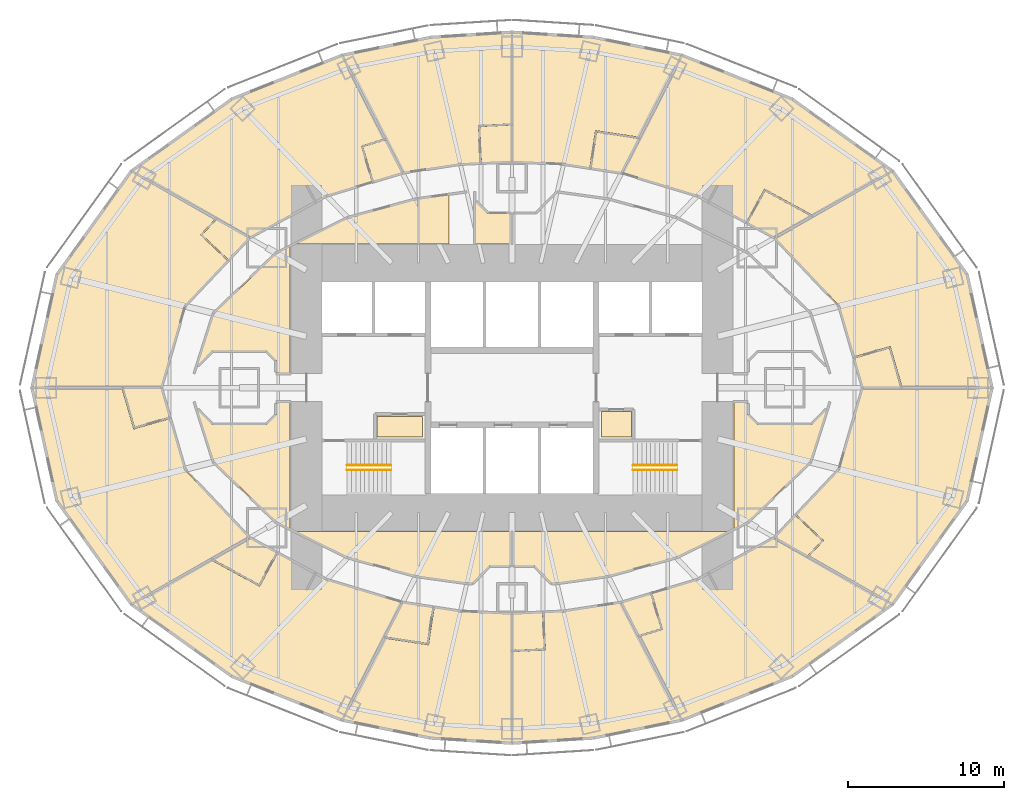
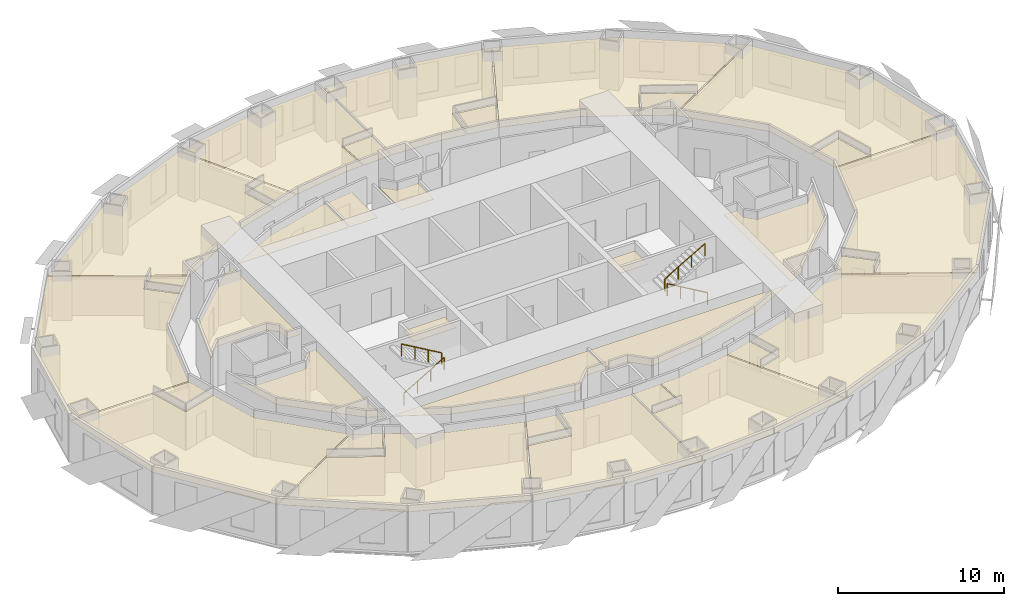
# One storey, part 15 of 15: 34 coverings, 4 railings.
"""IFC4 building model written with IfcOpenShell, lengths in metres."""

from ifc_helpers import new_model, si_unit, direction, frame, origin, origin_2d, place, context, subcontext, project, spatial, polyline, circle, outline, extrude, material, layer, layer_set, type_object, element, save


model = new_model("IFC4")

# Units and contexts
model_context = context("Model", 3, precision=1e-05, world=origin(), true_north=direction((0.0, 1.0)))
body_context = subcontext(model_context, "Body", "Model", "MODEL_VIEW")
ifc_project = project(units=[si_unit("LENGTHUNIT", "METRE"), si_unit("AREAUNIT", "SQUARE_METRE"), si_unit("VOLUMEUNIT", "CUBIC_METRE"), si_unit("PLANEANGLEUNIT", "RADIAN"), si_unit("MASSUNIT", "GRAM", prefix="KILO")], contexts=[model_context])

# Site, building, storey
site_placement = place(None, origin())
site = spatial("IfcSite", under=ifc_project, at=site_placement, CompositionType="ELEMENT")
building_placement = place(site_placement, origin())
building = spatial("IfcBuilding", under=site, at=building_placement, Name="Lantaw Convention Tower", CompositionType="ELEMENT")
storey_placement = place(building_placement, frame((0.0, 0.0, 87.39990234375)))
storey = spatial("IfcBuildingStorey", under=building, at=storey_placement, Name="L20", CompositionType="ELEMENT", Elevation=87.39990234375)

# Railings
ifc_material_1 = material(Name="Stainless steel", Category="steel")
railing_type = type_object("IfcRailingType", Name="Stair handrail", PredefinedType="HANDRAIL", material=ifc_material_1)
railing_1_placement = place(storey_placement, frame((-10.580078125, -5.280029296875, 0.163818359375)))
element("IfcRailing", 1, at=railing_1_placement, inside=storey, type_object=railing_type, Name="Stair handrail S1", PredefinedType="HANDRAIL", context=body_context, shape_type="SweptSolid", body=[
    extrude(circle(Radius=0.02392578125, at=origin_2d()), frame((0.0, 0.0, 0.8759765625), z_axis=(0.863393664356, 0.0, 0.504530851732), x_axis=(0.0, 1.0, 0.0)), (0.0, 0.0, 1.0), 3.2431640625),
    extrude(circle(Radius=0.02099609375, at=origin_2d()), origin(), (0.0, 0.0, 1.0), 0.851806640625),
    extrude(circle(Radius=0.02099609375, at=origin_2d()), frame((0.933349609375, 0.0, 0.54541015625)), (0.0, 0.0, 1.0), 0.851806640625),
    extrude(circle(Radius=0.02099609375, at=origin_2d()), frame((1.86669921875, 0.0, 1.0908203125)), (0.0, 0.0, 1.0), 0.851806640625),
    extrude(circle(Radius=0.02099609375, at=origin_2d()), frame((2.800048828125, 0.0, 1.63623046875)), (0.0, 0.0, 1.0), 0.851806640625),
])
railing_2_placement = place(storey_placement, frame((-7.780029296875, -4.97998046875, 1.963623046875)))
element("IfcRailing", 2, at=railing_2_placement, inside=storey, type_object=railing_type, Name="Stair handrail S1", PredefinedType="HANDRAIL", context=body_context, shape_type="SweptSolid", body=[
    extrude(circle(Radius=0.02392578125, at=origin_2d()), frame((0.0, 0.0, 0.8759765625), z_axis=(-0.863360870873, 0.0, 0.504586966384), x_axis=(0.0, -1.0, 0.0)), (0.0, 0.0, 1.0), 3.2431640625),
    extrude(circle(Radius=0.02099609375, at=origin_2d()), origin(), (0.0, 0.0, 1.0), 0.851806640625),
    extrude(circle(Radius=0.02099609375, at=origin_2d()), frame((-0.933349609375, 0.0, 0.54541015625)), (0.0, 0.0, 1.0), 0.851806640625),
    extrude(circle(Radius=0.02099609375, at=origin_2d()), frame((-1.86669921875, 0.0, 1.091064453125)), (0.0, 0.0, 1.0), 0.851806640625),
    extrude(circle(Radius=0.02099609375, at=origin_2d()), frame((-2.800048828125, 0.0, 1.636474609375)), (0.0, 0.0, 1.0), 0.851806640625),
])
railing_3_placement = place(storey_placement, frame((10.580078125, -5.280029296875, 0.163818359375)))
element("IfcRailing", 3, at=railing_3_placement, inside=storey, type_object=railing_type, Name="Stair handrail S2", PredefinedType="HANDRAIL", context=body_context, shape_type="SweptSolid", body=[
    extrude(circle(Radius=0.02392578125, at=origin_2d()), frame((0.0, 0.0, 0.8759765625), z_axis=(-0.863393664356, 0.0, 0.504530851732), x_axis=(0.0, -1.0, 0.0)), (0.0, 0.0, 1.0), 3.2431640625),
    extrude(circle(Radius=0.02099609375, at=origin_2d()), origin(), (0.0, 0.0, 1.0), 0.851806640625),
    extrude(circle(Radius=0.02099609375, at=origin_2d()), frame((-0.933349609375, 0.0, 0.54541015625)), (0.0, 0.0, 1.0), 0.851806640625),
    extrude(circle(Radius=0.02099609375, at=origin_2d()), frame((-1.86669921875, 0.0, 1.0908203125)), (0.0, 0.0, 1.0), 0.851806640625),
    extrude(circle(Radius=0.02099609375, at=origin_2d()), frame((-2.800048828125, 0.0, 1.63623046875)), (0.0, 0.0, 1.0), 0.851806640625),
])
railing_4_placement = place(storey_placement, frame((7.780029296875, -4.97998046875, 1.963623046875)))
element("IfcRailing", 4, at=railing_4_placement, inside=storey, type_object=railing_type, Name="Stair handrail S2", PredefinedType="HANDRAIL", context=body_context, shape_type="SweptSolid", body=[
    extrude(circle(Radius=0.02392578125, at=origin_2d()), frame((0.0, 0.0, 0.8759765625), z_axis=(0.863360870873, 0.0, 0.504586966384), x_axis=(0.0, 1.0, 0.0)), (0.0, 0.0, 1.0), 3.2431640625),
    extrude(circle(Radius=0.02099609375, at=origin_2d()), origin(), (0.0, 0.0, 1.0), 0.851806640625),
    extrude(circle(Radius=0.02099609375, at=origin_2d()), frame((0.933349609375, 0.0, 0.54541015625)), (0.0, 0.0, 1.0), 0.851806640625),
    extrude(circle(Radius=0.02099609375, at=origin_2d()), frame((1.86669921875, 0.0, 1.091064453125)), (0.0, 0.0, 1.0), 0.851806640625),
    extrude(circle(Radius=0.02099609375, at=origin_2d()), frame((2.800048828125, 0.0, 1.636474609375)), (0.0, 0.0, 1.0), 0.851806640625),
])

# Coverings
ifc_material_2 = material(Name="Gypsum board on steel suspension grid", Category="steel")
ifc_layer = layer(ifc_material_2, 0.02001953125)
ifc_layer_set = layer_set([ifc_layer], Name="Suspended ceiling")
covering_type = type_object("IfcCoveringType", Name="Suspended ceiling", PredefinedType="CEILING", material=ifc_layer_set)
covering_1_placement = place(storey_placement, frame((0.0, 0.0, 2.85009765625)))
element("IfcCovering", 5, at=covering_1_placement, inside=storey, type_object=covering_type, Name="IT and comms room ceiling", PredefinedType="CEILING", context=body_context, shape_type="SweptSolid", body=[
    extrude(outline(polyline([(-8.659912109375, -3.159912109375), (-5.739990234375, -3.159912109375), (-5.739990234375, -1.840087890625), (-8.659912109375, -1.840087890625), (-8.659912109375, -3.159912109375)])), origin(), (0.0, 0.0, 1.0), 0.02001953125),
])
covering_2_placement = place(storey_placement, frame((0.0, 0.0, 2.85009765625)))
element("IfcCovering", 6, at=covering_2_placement, inside=storey, type_object=covering_type, Name="Staff WC ceiling", PredefinedType="CEILING", context=body_context, shape_type="SweptSolid", body=[
    extrude(outline(polyline([(5.739990234375, -3.159912109375), (7.659912109375, -3.159912109375), (7.659912109375, -1.5400390625), (5.739990234375, -1.5400390625), (5.739990234375, -3.159912109375)])), origin(), (0.0, 0.0, 1.0), 0.02001953125),
])
covering_3_placement = place(storey_placement, frame((0.0, 0.0, 2.85009765625)))
element("IfcCovering", 7, at=covering_3_placement, inside=storey, type_object=covering_type, Name="Accessible WC ceiling", PredefinedType="CEILING", context=body_context, shape_type="SweptSolid", body=[
    extrude(outline(polyline([(-2.360107421875, 9.239990234375), (-0.114990234375, 9.239990234375), (-0.114990234375, 11.175048828125), (-1.548828125, 11.175048828125), (-2.324951171875, 11.951171875), (-2.324951171875, 11.963134765625), (-2.360107421875, 11.998046875), (-2.360107421875, 9.239990234375)])), origin(), (0.0, 0.0, 1.0), 0.02001953125),
])
covering_4_placement = place(storey_placement, frame((0.0, 0.0, 2.85009765625)))
element("IfcCovering", 8, at=covering_4_placement, inside=storey, type_object=covering_type, Name="Housekeeping pantry ceiling", PredefinedType="CEILING", context=body_context, shape_type="SweptSolid", body=[
    extrude(outline(polyline([(-5.9599609375, 9.239990234375), (-4.0400390625, 9.239990234375), (-4.0400390625, 12.376708984375), (-5.9599609375, 12.111083984375), (-5.9599609375, 9.239990234375)])), origin(), (0.0, 0.0, 1.0), 0.02001953125),
])
covering_5_placement = place(storey_placement, frame((0.0, 0.0, 2.85009765625)))
element("IfcCovering", 9, at=covering_5_placement, inside=storey, type_object=covering_type, Name="Housekeeping room ceiling", PredefinedType="CEILING", context=body_context, shape_type="SweptSolid", body=[
    extrude(outline(polyline([(-13.87451171875, 9.239990234375), (-6.050048828125, 9.239990234375), (-6.050048828125, 12.0986328125), (-6.168212890625, 12.082275390625), (-10.537109375, 10.888671875), (-13.87451171875, 9.239990234375)])), origin(), (0.0, 0.0, 1.0), 0.02001953125),
])
covering_6_placement = place(storey_placement, frame((0.0, 0.0, 2.85009765625)))
element("IfcCovering", 10, at=covering_6_placement, inside=storey, type_object=covering_type, Name="Housekeeping room ceiling", PredefinedType="CEILING", context=body_context, shape_type="SweptSolid", body=[
    extrude(outline(polyline([(-19.864990234375, 1.72900390625), (-19.864990234375, 1.7412109375), (-19.2412109375, 2.364990234375), (-15.7587890625, 2.364990234375), (-15.135009765625, 1.7412109375), (-15.135009765625, 0.93994140625), (-14.239990234375, 0.93994140625), (-14.239990234375, 9.0595703125), (-15.124267578125, 8.62255859375), (-19.141845703125, 4.759521484375), (-20.22021484375, 1.37451171875), (-19.864990234375, 1.72900390625)])), origin(), (0.0, 0.0, 1.0), 0.02001953125),
])
covering_7_placement = place(storey_placement, frame((0.0, 0.0, 2.85009765625)))
element("IfcCovering", 11, at=covering_7_placement, inside=storey, type_object=covering_type, Name="Staff room ceiling", PredefinedType="CEILING", context=body_context, shape_type="SweptSolid", body=[
    extrude(outline(polyline([(-10.537109375, -10.888671875), (-6.168212890625, -12.082275390625), (-2.8994140625, -12.53466796875), (-2.544677734375, -12.550048828125), (-2.06494140625, -12.071044921875), (-2.06494140625, -12.058837890625), (-1.441162109375, -11.43505859375), (-0.0400390625, -11.43505859375), (-0.0400390625, -9.239990234375), (-13.87451171875, -9.239990234375), (-10.537109375, -10.888671875)])), origin(), (0.0, 0.0, 1.0), 0.02001953125),
])
covering_8_placement = place(storey_placement, frame((0.0, 0.0, 2.85009765625)))
element("IfcCovering", 12, at=covering_8_placement, inside=storey, type_object=covering_type, Name="Staff room ceiling", PredefinedType="CEILING", context=body_context, shape_type="SweptSolid", body=[
    extrude(outline(polyline([(-19.864990234375, -1.7412109375), (-19.864990234375, -1.72900390625), (-20.22021484375, -1.37451171875), (-19.141845703125, -4.759521484375), (-15.124267578125, -8.62255859375), (-14.239990234375, -9.0595703125), (-14.239990234375, -0.93994140625), (-15.135009765625, -0.93994140625), (-15.135009765625, -1.7412109375), (-15.7587890625, -2.364990234375), (-19.2412109375, -2.364990234375), (-19.864990234375, -1.7412109375)])), origin(), (0.0, 0.0, 1.0), 0.02001953125),
])
covering_9_placement = place(storey_placement, frame((0.0, 0.0, 2.85009765625)))
element("IfcCovering", 13, at=covering_9_placement, inside=storey, type_object=covering_type, Name="Room service pantry ceiling", PredefinedType="CEILING", context=body_context, shape_type="SweptSolid", body=[
    extrude(outline(polyline([(2.06494140625, -12.071044921875), (2.544677734375, -12.550048828125), (2.8994140625, -12.53466796875), (6.168212890625, -12.082275390625), (10.537109375, -10.888671875), (13.87451171875, -9.239990234375), (0.0400390625, -9.239990234375), (0.0400390625, -11.43505859375), (1.441162109375, -11.43505859375), (2.06494140625, -12.058837890625), (2.06494140625, -12.071044921875)])), origin(), (0.0, 0.0, 1.0), 0.02001953125),
])
covering_10_placement = place(storey_placement, frame((0.0, 0.0, 2.85009765625)))
element("IfcCovering", 14, at=covering_10_placement, inside=storey, type_object=covering_type, Name="Room service pantry ceiling", PredefinedType="CEILING", context=body_context, shape_type="SweptSolid", body=[
    extrude(outline(polyline([(14.239990234375, -0.93994140625), (14.239990234375, -9.0595703125), (15.124267578125, -8.62255859375), (19.141845703125, -4.759521484375), (20.22021484375, -1.37451171875), (19.864990234375, -1.72900390625), (19.864990234375, -1.7412109375), (19.2412109375, -2.364990234375), (15.7587890625, -2.364990234375), (15.135009765625, -1.7412109375), (15.135009765625, -0.93994140625), (14.239990234375, -0.93994140625)])), origin(), (0.0, 0.0, 1.0), 0.02001953125),
])
covering_11_placement = place(storey_placement, frame((0.0, 0.0, 2.85009765625)))
element("IfcCovering", 15, at=covering_11_placement, inside=storey, type_object=covering_type, Name="Junior suite bathroom ceiling", PredefinedType="CEILING", context=body_context, shape_type="SweptSolid", body=[
    extrude(outline(polyline([(22.530029296875, 0.0400390625), (24.945556640625, 0.0400390625), (24.221435546875, 2.539306640625), (21.992919921875, 1.893798828125), (22.530029296875, 0.0400390625)])), origin(), (0.0, 0.0, 1.0), 0.02001953125),
])
covering_12_placement = place(storey_placement, frame((0.0, 0.0, 2.85009765625)))
element("IfcCovering", 16, at=covering_12_placement, inside=storey, type_object=covering_type, Name="Junior suite ceiling", PredefinedType="CEILING", context=body_context, shape_type="SweptSolid", body=[
    extrude(outline(polyline([(16.899169921875, 9.6103515625), (21.02001953125, 5.25244140625), (21.967529296875, 1.982177734375), (24.2841796875, 2.6533203125), (25.041259765625, 0.0400390625), (30.77099609375, 0.0400390625), (29.184814453125, 7.237060546875), (24.423095703125, 13.8564453125), (16.899169921875, 9.6103515625)])), origin(), (0.0, 0.0, 1.0), 0.02001953125),
])
covering_13_placement = place(storey_placement, frame((0.0, 0.0, 2.85009765625)))
element("IfcCovering", 17, at=covering_13_placement, inside=storey, type_object=covering_type, Name="Junior suite bathroom ceiling", PredefinedType="CEILING", context=body_context, shape_type="SweptSolid", body=[
    extrude(outline(polyline([(16.83447265625, 9.665771484375), (19.202392578125, 11.018798828125), (16.240966796875, 12.629638671875), (15.13232421875, 10.591796875), (16.83447265625, 9.665771484375)])), origin(), (0.0, 0.0, 1.0), 0.02001953125),
])
covering_14_placement = place(storey_placement, frame((0.0, 0.0, 2.85009765625)))
element("IfcCovering", 18, at=covering_14_placement, inside=storey, type_object=covering_type, Name="Junior suite ceiling", PredefinedType="CEILING", context=body_context, shape_type="SweptSolid", body=[
    extrude(outline(polyline([(7.076904296875, 13.80078125), (11.90380859375, 12.347900390625), (15.051513671875, 10.6357421875), (16.2041015625, 12.75439453125), (19.31201171875, 11.06396484375), (24.3603515625, 13.912841796875), (17.951171875, 18.50634765625), (10.930908203125, 21.294921875), (7.076904296875, 13.80078125)])), origin(), (0.0, 0.0, 1.0), 0.02001953125),
])
covering_15_placement = place(storey_placement, frame((0.0, 0.0, 2.85009765625)))
element("IfcCovering", 19, at=covering_15_placement, inside=storey, type_object=covering_type, Name="Junior suite bathroom ceiling", PredefinedType="CEILING", context=body_context, shape_type="SweptSolid", body=[
    extrude(outline(polyline([(6.996826171875, 13.8203125), (8.1064453125, 15.997802734375), (5.437744140625, 16.405029296875), (5.087890625, 14.111572265625), (6.996826171875, 13.8203125)])), origin(), (0.0, 0.0, 1.0), 0.02001953125),
])
covering_16_placement = place(storey_placement, frame((0.0, 0.0, 2.85009765625)))
element("IfcCovering", 20, at=covering_16_placement, inside=storey, type_object=covering_type, Name="Junior suite ceiling", PredefinedType="CEILING", context=body_context, shape_type="SweptSolid", body=[
    extrude(outline(polyline([(0.0400390625, 14.5380859375), (3.315185546875, 14.382080078125), (4.996826171875, 14.12548828125), (5.360595703125, 16.509765625), (8.160400390625, 16.08251953125), (10.852294921875, 21.31689453125), (5.20556640625, 22.456298828125), (0.0400390625, 22.781982421875), (0.0400390625, 14.5380859375)])), origin(), (0.0, 0.0, 1.0), 0.02001953125),
])
covering_17_placement = place(storey_placement, frame((0.0, 0.0, 2.85009765625)))
element("IfcCovering", 21, at=covering_17_placement, inside=storey, type_object=covering_type, Name="Junior suite bathroom ceiling", PredefinedType="CEILING", context=body_context, shape_type="SweptSolid", body=[
    extrude(outline(polyline([(-0.0400390625, 14.5380859375), (-0.0400390625, 16.86083984375), (-2.070068359375, 16.763916015625), (-1.959716796875, 14.446533203125), (-0.0400390625, 14.5380859375)])), origin(), (0.0, 0.0, 1.0), 0.02001953125),
])
covering_18_placement = place(storey_placement, frame((0.0, 0.0, 2.85009765625)))
element("IfcCovering", 22, at=covering_18_placement, inside=storey, type_object=covering_type, Name="Junior suite ceiling", PredefinedType="CEILING", context=body_context, shape_type="SweptSolid", body=[
    extrude(outline(polyline([(-3.315185546875, 14.382080078125), (-2.03955078125, 14.44287109375), (-2.15380859375, 16.840087890625), (-0.0400390625, 16.94091796875), (-0.0400390625, 22.781982421875), (-5.20556640625, 22.456298828125), (-10.852294921875, 21.31689453125), (-6.9970703125, 13.8203125), (-3.315185546875, 14.382080078125)])), origin(), (0.0, 0.0, 1.0), 0.02001953125),
])
covering_19_placement = place(storey_placement, frame((0.0, 0.0, 2.85009765625)))
element("IfcCovering", 23, at=covering_19_placement, inside=storey, type_object=covering_type, Name="Junior suite bathroom ceiling", PredefinedType="CEILING", context=body_context, shape_type="SweptSolid", body=[
    extrude(outline(polyline([(-7.07666015625, 13.80078125), (-8.14697265625, 15.9013671875), (-9.576416015625, 15.47119140625), (-8.90771484375, 13.249755859375), (-7.07666015625, 13.80078125)])), origin(), (0.0, 0.0, 1.0), 0.02001953125),
])
covering_20_placement = place(storey_placement, frame((0.0, 0.0, 2.85009765625)))
element("IfcCovering", 24, at=covering_20_placement, inside=storey, type_object=covering_type, Name="Junior suite ceiling", PredefinedType="CEILING", context=body_context, shape_type="SweptSolid", body=[
    extrude(outline(polyline([(-11.90380859375, 12.347900390625), (-8.984375, 13.2265625), (-9.676025390625, 15.524658203125), (-8.193115234375, 15.97119140625), (-10.930908203125, 21.294921875), (-17.951171875, 18.50634765625), (-24.3603515625, 13.912841796875), (-16.834716796875, 9.665771484375), (-11.90380859375, 12.347900390625)])), origin(), (0.0, 0.0, 1.0), 0.02001953125),
])
covering_21_placement = place(storey_placement, frame((0.0, 0.0, 2.85009765625)))
element("IfcCovering", 25, at=covering_21_placement, inside=storey, type_object=covering_type, Name="Junior suite bathroom ceiling", PredefinedType="CEILING", context=body_context, shape_type="SweptSolid", body=[
    extrude(outline(polyline([(-16.89892578125, 9.610595703125), (-18.971923828125, 10.794921875), (-19.896484375, 9.8173828125), (-18.210693359375, 8.223388671875), (-16.89892578125, 9.610595703125)])), origin(), (0.0, 0.0, 1.0), 0.02001953125),
])
covering_22_placement = place(storey_placement, frame((0.0, 0.0, 2.85009765625)))
element("IfcCovering", 26, at=covering_22_placement, inside=storey, type_object=covering_type, Name="Junior suite ceiling", PredefinedType="CEILING", context=body_context, shape_type="SweptSolid", body=[
    extrude(outline(polyline([(-21.02001953125, 5.25244140625), (-18.265625, 8.165283203125), (-20.009521484375, 9.814208984375), (-19.052978515625, 10.82568359375), (-24.423095703125, 13.8564453125), (-29.184814453125, 7.237060546875), (-30.77099609375, 0.0400390625), (-22.530029296875, 0.0400390625), (-21.02001953125, 5.25244140625)])), origin(), (0.0, 0.0, 1.0), 0.02001953125),
])
covering_23_placement = place(storey_placement, frame((0.0, 0.0, 2.85009765625)))
element("IfcCovering", 27, at=covering_23_placement, inside=storey, type_object=covering_type, Name="Junior suite bathroom ceiling", PredefinedType="CEILING", context=body_context, shape_type="SweptSolid", body=[
    extrude(outline(polyline([(-22.530029296875, -0.0400390625), (-24.945556640625, -0.0400390625), (-24.221435546875, -2.539306640625), (-21.992919921875, -1.893798828125), (-22.530029296875, -0.0400390625)])), origin(), (0.0, 0.0, 1.0), 0.02001953125),
])
covering_24_placement = place(storey_placement, frame((0.0, 0.0, 2.85009765625)))
element("IfcCovering", 28, at=covering_24_placement, inside=storey, type_object=covering_type, Name="Junior suite ceiling", PredefinedType="CEILING", context=body_context, shape_type="SweptSolid", body=[
    extrude(outline(polyline([(-21.02001953125, -5.25244140625), (-21.967529296875, -1.982177734375), (-24.2841796875, -2.6533203125), (-25.041259765625, -0.0400390625), (-30.77099609375, -0.0400390625), (-29.184814453125, -7.237060546875), (-24.423095703125, -13.8564453125), (-16.899169921875, -9.6103515625), (-21.02001953125, -5.25244140625)])), origin(), (0.0, 0.0, 1.0), 0.02001953125),
])
covering_25_placement = place(storey_placement, frame((0.0, 0.0, 2.85009765625)))
element("IfcCovering", 29, at=covering_25_placement, inside=storey, type_object=covering_type, Name="Junior suite bathroom ceiling", PredefinedType="CEILING", context=body_context, shape_type="SweptSolid", body=[
    extrude(outline(polyline([(-16.83447265625, -9.665771484375), (-19.202392578125, -11.018798828125), (-16.240966796875, -12.629638671875), (-15.13232421875, -10.591796875), (-16.83447265625, -9.665771484375)])), origin(), (0.0, 0.0, 1.0), 0.02001953125),
])
covering_26_placement = place(storey_placement, frame((0.0, 0.0, 2.85009765625)))
element("IfcCovering", 30, at=covering_26_placement, inside=storey, type_object=covering_type, Name="Junior suite ceiling", PredefinedType="CEILING", context=body_context, shape_type="SweptSolid", body=[
    extrude(outline(polyline([(-19.31201171875, -11.06396484375), (-24.3603515625, -13.912841796875), (-17.951171875, -18.50634765625), (-10.930908203125, -21.294921875), (-7.076904296875, -13.80078125), (-11.90380859375, -12.347900390625), (-15.051513671875, -10.6357421875), (-16.2041015625, -12.75439453125), (-19.31201171875, -11.06396484375)])), origin(), (0.0, 0.0, 1.0), 0.02001953125),
])
covering_27_placement = place(storey_placement, frame((0.0, 0.0, 2.85009765625)))
element("IfcCovering", 31, at=covering_27_placement, inside=storey, type_object=covering_type, Name="Junior suite bathroom ceiling", PredefinedType="CEILING", context=body_context, shape_type="SweptSolid", body=[
    extrude(outline(polyline([(-6.996826171875, -13.8203125), (-8.1064453125, -15.997802734375), (-5.437744140625, -16.405029296875), (-5.087890625, -14.111572265625), (-6.996826171875, -13.8203125)])), origin(), (0.0, 0.0, 1.0), 0.02001953125),
])
covering_28_placement = place(storey_placement, frame((0.0, 0.0, 2.85009765625)))
element("IfcCovering", 32, at=covering_28_placement, inside=storey, type_object=covering_type, Name="Junior suite ceiling", PredefinedType="CEILING", context=body_context, shape_type="SweptSolid", body=[
    extrude(outline(polyline([(-3.315185546875, -14.382080078125), (-4.996826171875, -14.12548828125), (-5.360595703125, -16.509765625), (-8.160400390625, -16.08251953125), (-10.852294921875, -21.31689453125), (-5.20556640625, -22.456298828125), (-0.0400390625, -22.781982421875), (-0.0400390625, -14.5380859375), (-3.315185546875, -14.382080078125)])), origin(), (0.0, 0.0, 1.0), 0.02001953125),
])
covering_29_placement = place(storey_placement, frame((0.0, 0.0, 2.85009765625)))
element("IfcCovering", 33, at=covering_29_placement, inside=storey, type_object=covering_type, Name="Junior suite bathroom ceiling", PredefinedType="CEILING", context=body_context, shape_type="SweptSolid", body=[
    extrude(outline(polyline([(0.0400390625, -14.5380859375), (0.0400390625, -16.86083984375), (2.070068359375, -16.763916015625), (1.959716796875, -14.446533203125), (0.0400390625, -14.5380859375)])), origin(), (0.0, 0.0, 1.0), 0.02001953125),
])
covering_30_placement = place(storey_placement, frame((0.0, 0.0, 2.85009765625)))
element("IfcCovering", 34, at=covering_30_placement, inside=storey, type_object=covering_type, Name="Junior suite ceiling", PredefinedType="CEILING", context=body_context, shape_type="SweptSolid", body=[
    extrude(outline(polyline([(2.03955078125, -14.44287109375), (2.15380859375, -16.840087890625), (0.0400390625, -16.94091796875), (0.0400390625, -22.781982421875), (5.20556640625, -22.456298828125), (10.852294921875, -21.31689453125), (6.9970703125, -13.8203125), (3.315185546875, -14.382080078125), (2.03955078125, -14.44287109375)])), origin(), (0.0, 0.0, 1.0), 0.02001953125),
])
covering_31_placement = place(storey_placement, frame((0.0, 0.0, 2.85009765625)))
element("IfcCovering", 35, at=covering_31_placement, inside=storey, type_object=covering_type, Name="Junior suite bathroom ceiling", PredefinedType="CEILING", context=body_context, shape_type="SweptSolid", body=[
    extrude(outline(polyline([(7.07666015625, -13.80078125), (8.14697265625, -15.9013671875), (9.576416015625, -15.47119140625), (8.90771484375, -13.249755859375), (7.07666015625, -13.80078125)])), origin(), (0.0, 0.0, 1.0), 0.02001953125),
])
covering_32_placement = place(storey_placement, frame((0.0, 0.0, 2.85009765625)))
element("IfcCovering", 36, at=covering_32_placement, inside=storey, type_object=covering_type, Name="Junior suite ceiling", PredefinedType="CEILING", context=body_context, shape_type="SweptSolid", body=[
    extrude(outline(polyline([(8.984375, -13.2265625), (9.676025390625, -15.524658203125), (8.193115234375, -15.97119140625), (10.930908203125, -21.294921875), (17.951171875, -18.50634765625), (24.3603515625, -13.912841796875), (16.834716796875, -9.665771484375), (11.90380859375, -12.347900390625), (8.984375, -13.2265625)])), origin(), (0.0, 0.0, 1.0), 0.02001953125),
])
covering_33_placement = place(storey_placement, frame((0.0, 0.0, 2.85009765625)))
element("IfcCovering", 37, at=covering_33_placement, inside=storey, type_object=covering_type, Name="Junior suite bathroom ceiling", PredefinedType="CEILING", context=body_context, shape_type="SweptSolid", body=[
    extrude(outline(polyline([(16.89892578125, -9.610595703125), (18.971923828125, -10.794921875), (19.896484375, -9.8173828125), (18.210693359375, -8.223388671875), (16.89892578125, -9.610595703125)])), origin(), (0.0, 0.0, 1.0), 0.02001953125),
])
covering_34_placement = place(storey_placement, frame((0.0, 0.0, 2.85009765625)))
element("IfcCovering", 38, at=covering_34_placement, inside=storey, type_object=covering_type, Name="Junior suite ceiling", PredefinedType="CEILING", context=body_context, shape_type="SweptSolid", body=[
    extrude(outline(polyline([(21.02001953125, -5.25244140625), (18.265625, -8.165283203125), (20.009521484375, -9.814208984375), (19.052978515625, -10.82568359375), (24.423095703125, -13.8564453125), (29.184814453125, -7.237060546875), (30.77099609375, -0.0400390625), (22.530029296875, -0.0400390625), (21.02001953125, -5.25244140625)])), origin(), (0.0, 0.0, 1.0), 0.02001953125),
])

save(model, "model.ifc")
